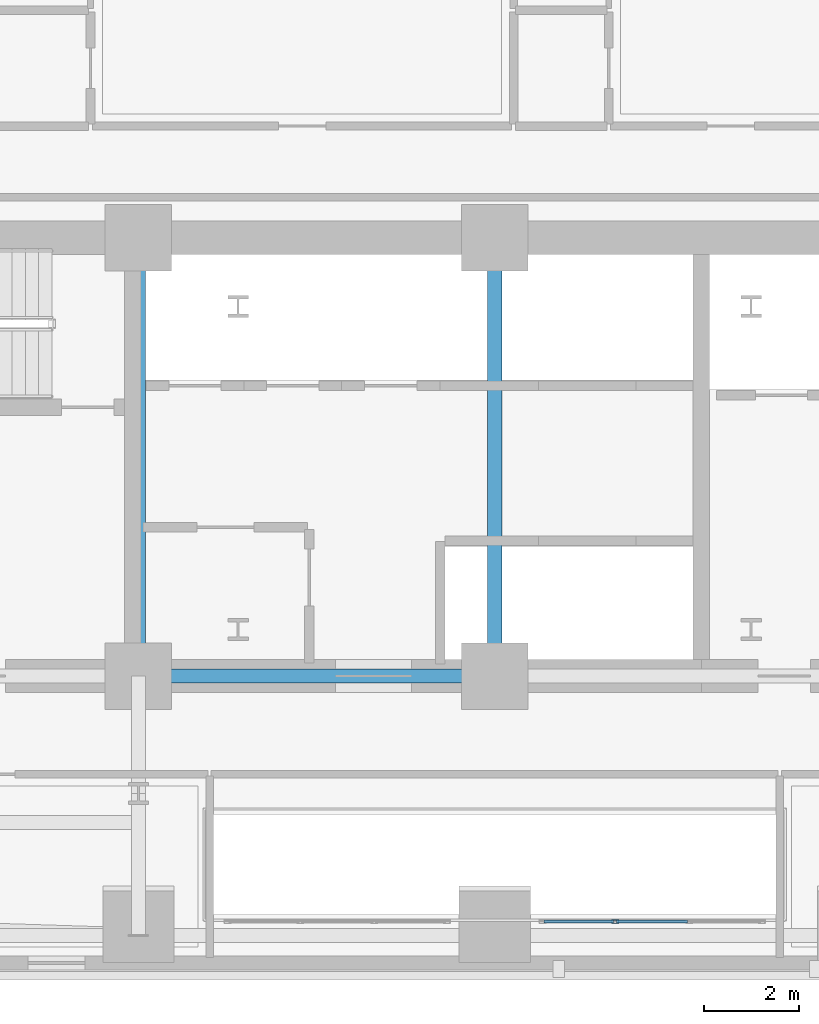
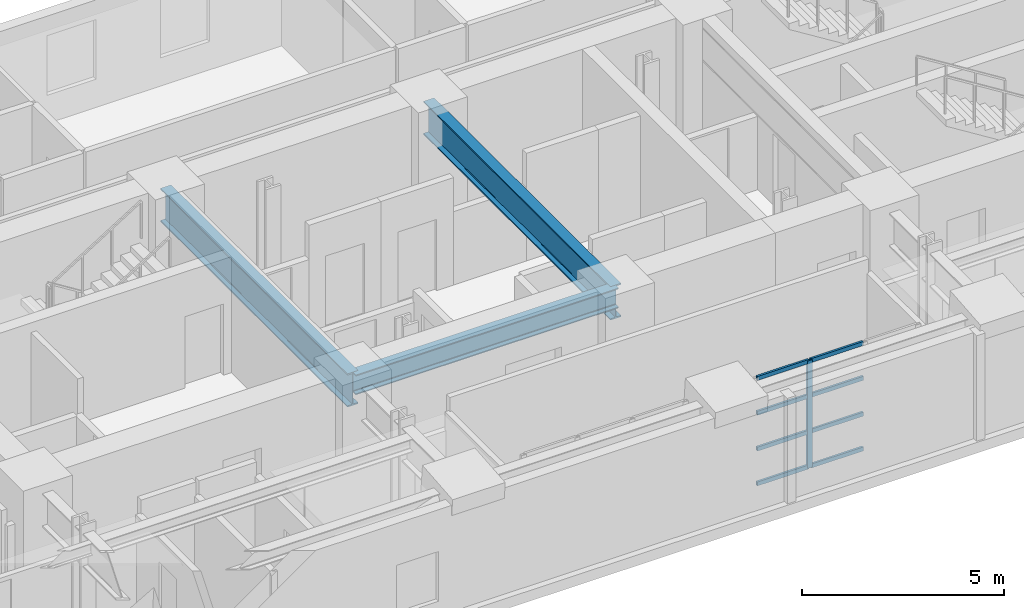
# One storey, part 3 of 16: 9 members, 3 beams, 1 element without a shape of its own.
"""IFC4 building model written with IfcOpenShell, lengths in metres."""

from ifc_helpers import new_model, si_unit, direction, frame, origin, origin_2d, place, context, subcontext, project, spatial, hollow_rectangle, i_section, extrude, material, layer, layer_set, material_profile, profile_set, type_object, element, aggregate, save


model = new_model("IFC4")

# Units and contexts
model_context = context("Model", 3, precision=1e-05, world=origin(), true_north=direction((0.0, 1.0)))
body_context = subcontext(model_context, "Body", "Model", "MODEL_VIEW")
ifc_project = project(units=[si_unit("LENGTHUNIT", "METRE"), si_unit("AREAUNIT", "SQUARE_METRE"), si_unit("VOLUMEUNIT", "CUBIC_METRE"), si_unit("PLANEANGLEUNIT", "RADIAN"), si_unit("MASSUNIT", "GRAM", prefix="KILO")], contexts=[model_context])

# Site, building, storey
site_placement = place(None, origin())
site = spatial("IfcSite", under=ifc_project, at=site_placement, CompositionType="ELEMENT")
building_placement = place(site_placement, origin())
building = spatial("IfcBuilding", under=site, at=building_placement, Name="Zarnavel Station Tower", CompositionType="ELEMENT")
storey_placement = place(building_placement, frame((0.0, 0.0, 39.5)))
storey = spatial("IfcBuildingStorey", under=building, at=storey_placement, Name="L10", CompositionType="ELEMENT", Elevation=39.5)

# Curtain wall, members
ifc_material_1 = material(Name="Aluminium Dark Anodised and Solar-Control Glass", Category="aluminium")
ifc_layer = layer(ifc_material_1, 0.179931640625)
ifc_layer_set = layer_set([ifc_layer], Name="CWS2")
curtain_wall_type = type_object("IfcCurtainWallType", Name="CWS2", PredefinedType="NOTDEFINED", material=ifc_layer_set)
curtain_wall_placement = place(storey_placement, origin())
curtain_wall = element("IfcCurtainWall", 1, at=curtain_wall_placement, inside=storey, type_object=curtain_wall_type, Name="L10 Curtain Wall CWS2-L10-AS-S2", PredefinedType="NOTDEFINED")
ifc_material_2 = material(Name="Steel S355J2 (Black Fluoropolymer Coated)", Category="steel")
ifc_material_profile_1 = material_profile(ifc_material_2, hollow_rectangle(XDim=0.074951171875, YDim=0.14990234375, WallThickness=0.00634765625, at=origin_2d()), Name="RHS150x75x6.3")
ifc_profile_set_1 = profile_set([ifc_material_profile_1], Name="Steel S355J2 (Black Fluoropolymer Coated)")
member_type_1 = type_object("IfcMemberType", Name="CWS2_MUL", PredefinedType="MULLION", material=ifc_profile_set_1)
member_1_placement = place(storey_placement, frame((31.336669921875, 22.64990234375, 0.0), z_axis=(0.0, 0.0, 1.0), x_axis=(0.0, 1.0, 0.0)))
member_1 = element("IfcMember", 2, at=member_1_placement, type_object=member_type_1, Name="CW2 mullion 2", PredefinedType="MULLION", context=body_context, shape_type="SweptSolid", body=[
    extrude(hollow_rectangle(XDim=0.074951171875, YDim=0.14990234375, WallThickness=0.00634765625, at=origin_2d()), origin(), (0.0, 0.0, 1.0), 3.239990234375),
])
ifc_material_3 = material(Name="Steel S355J2 (Black Fluoropolymer Coated)", Category="steel")
ifc_material_profile_2 = material_profile(ifc_material_3, hollow_rectangle(XDim=0.06005859375, YDim=0.1201171875, WallThickness=0.0048828125, at=origin_2d()), Name="RHS120x60x5")
ifc_profile_set_2 = profile_set([ifc_material_profile_2], Name="Steel S355J2 (Black Fluoropolymer Coated)")
member_type_2 = type_object("IfcMemberType", Name="CWS2_TRN", PredefinedType="USERDEFINED", material=ifc_profile_set_2)
member_2_placement = place(storey_placement, frame((29.840087890625, 22.64990234375, 0.030029296875), z_axis=(1.0, 0.0, 0.0), x_axis=(0.0, 1.0, 0.0)))
member_2 = element("IfcMember", 3, at=member_2_placement, type_object=member_type_2, Name="CW2 transom 1.1", ObjectType="TRANSOM", PredefinedType="USERDEFINED", context=body_context, shape_type="SweptSolid", body=[
    extrude(hollow_rectangle(XDim=0.06005859375, YDim=0.1201171875, WallThickness=0.0048828125, at=origin_2d()), origin(), (0.0, 0.0, 1.0), 1.466552734375),
])
member_3_placement = place(storey_placement, frame((29.840087890625, 22.64990234375, 1.080078125), z_axis=(1.0, 0.0, 0.0), x_axis=(0.0, 1.0, 0.0)))
member_3 = element("IfcMember", 4, at=member_3_placement, type_object=member_type_2, Name="CW2 transom 1.2", ObjectType="TRANSOM", PredefinedType="USERDEFINED", context=body_context, shape_type="SweptSolid", body=[
    extrude(hollow_rectangle(XDim=0.06005859375, YDim=0.1201171875, WallThickness=0.0048828125, at=origin_2d()), origin(), (0.0, 0.0, 1.0), 1.466552734375),
])
member_4_placement = place(storey_placement, frame((29.840087890625, 22.64990234375, 2.159912109375), z_axis=(1.0, 0.0, 0.0), x_axis=(0.0, 1.0, 0.0)))
member_4 = element("IfcMember", 5, at=member_4_placement, type_object=member_type_2, Name="CW2 transom 1.3", ObjectType="TRANSOM", PredefinedType="USERDEFINED", context=body_context, shape_type="SweptSolid", body=[
    extrude(hollow_rectangle(XDim=0.06005859375, YDim=0.1201171875, WallThickness=0.0048828125, at=origin_2d()), origin(), (0.0, 0.0, 1.0), 1.466552734375),
])
member_5_placement = place(storey_placement, frame((29.840087890625, 22.64990234375, 3.2099609375), z_axis=(1.0, 0.0, 0.0), x_axis=(0.0, 1.0, 0.0)))
member_5 = element("IfcMember", 6, at=member_5_placement, type_object=member_type_2, Name="CW2 transom 1.4", ObjectType="TRANSOM", PredefinedType="USERDEFINED", context=body_context, shape_type="SweptSolid", body=[
    extrude(hollow_rectangle(XDim=0.06005859375, YDim=0.1201171875, WallThickness=0.0048828125, at=origin_2d()), origin(), (0.0, 0.0, 1.0), 1.466552734375),
])
member_6_placement = place(storey_placement, frame((31.36669921875, 22.64990234375, 0.030029296875), z_axis=(1.0, 0.0, 0.0), x_axis=(0.0, 1.0, 0.0)))
member_6 = element("IfcMember", 7, at=member_6_placement, type_object=member_type_2, Name="CW2 transom 2.1", ObjectType="TRANSOM", PredefinedType="USERDEFINED", context=body_context, shape_type="SweptSolid", body=[
    extrude(hollow_rectangle(XDim=0.06005859375, YDim=0.1201171875, WallThickness=0.0048828125, at=origin_2d()), origin(), (0.0, 0.0, 1.0), 1.49658203125),
])
member_7_placement = place(storey_placement, frame((31.36669921875, 22.64990234375, 1.080078125), z_axis=(1.0, 0.0, 0.0), x_axis=(0.0, 1.0, 0.0)))
member_7 = element("IfcMember", 8, at=member_7_placement, type_object=member_type_2, Name="CW2 transom 2.2", ObjectType="TRANSOM", PredefinedType="USERDEFINED", context=body_context, shape_type="SweptSolid", body=[
    extrude(hollow_rectangle(XDim=0.06005859375, YDim=0.1201171875, WallThickness=0.0048828125, at=origin_2d()), origin(), (0.0, 0.0, 1.0), 1.49658203125),
])
member_8_placement = place(storey_placement, frame((31.36669921875, 22.64990234375, 2.159912109375), z_axis=(1.0, 0.0, 0.0), x_axis=(0.0, 1.0, 0.0)))
member_8 = element("IfcMember", 9, at=member_8_placement, type_object=member_type_2, Name="CW2 transom 2.3", ObjectType="TRANSOM", PredefinedType="USERDEFINED", context=body_context, shape_type="SweptSolid", body=[
    extrude(hollow_rectangle(XDim=0.06005859375, YDim=0.1201171875, WallThickness=0.0048828125, at=origin_2d()), origin(), (0.0, 0.0, 1.0), 1.49658203125),
])
member_9_placement = place(storey_placement, frame((31.36669921875, 22.64990234375, 3.2099609375), z_axis=(1.0, 0.0, 0.0), x_axis=(0.0, 1.0, 0.0)))
member_9 = element("IfcMember", 10, at=member_9_placement, type_object=member_type_2, Name="CW2 transom 2.4", ObjectType="TRANSOM", PredefinedType="USERDEFINED", context=body_context, shape_type="SweptSolid", body=[
    extrude(hollow_rectangle(XDim=0.06005859375, YDim=0.1201171875, WallThickness=0.0048828125, at=origin_2d()), origin(), (0.0, 0.0, 1.0), 1.49658203125),
])
aggregate(curtain_wall, [member_1, member_2, member_3, member_4, member_5, member_6, member_7, member_8, member_9])

# Beams
ifc_material_4 = material(Name="Steel S355J2", Category="steel")
ifc_material_profile_3 = material_profile(ifc_material_4, i_section(OverallWidth=0.300048828125, OverallDepth=0.60009765625, WebThickness=0.015380859375, FlangeThickness=0.030029296875, FilletRadius=0.027099609375, at=origin_2d()), Name="HEB600")
ifc_profile_set_3 = profile_set([ifc_material_profile_3], Name="Steel S355J2")
beam_type_1 = type_object("IfcBeamType", Name="FG_HEB600", PredefinedType="USERDEFINED", material=ifc_profile_set_3)
beam_placement = place(storey_placement, frame((21.300048828125, 27.820068359375, 2.93994140625), z_axis=(1.0, 0.0, 0.0), x_axis=(0.0, 1.0, 0.0)))
element("IfcBeam", 11, at=beam_placement, inside=storey, type_object=beam_type_1, Name="L10 Core Front Coupling Beam 2", ObjectType="GIRDER", PredefinedType="USERDEFINED", context=body_context, shape_type="SweptSolid", body=[
    extrude(i_section(OverallWidth=0.300048828125, OverallDepth=0.60009765625, WebThickness=0.015380859375, FlangeThickness=0.030029296875, FilletRadius=0.027099609375, at=origin_2d()), origin(), (0.0, 0.0, 1.0), 7.5),
])
ifc_material_5 = material(Name="Steel S460M", Category="steel")
ifc_material_profile_4 = material_profile(ifc_material_5, i_section(OverallWidth=0.302001953125, OverallDepth=1.008056640625, WebThickness=0.02099609375, FlangeThickness=0.0400390625, FilletRadius=0.030029296875, at=origin_2d()), Name="HEM1000")
ifc_profile_set_4 = profile_set([ifc_material_profile_4], Name="Steel S460M")
beam_type_2 = type_object("IfcBeamType", Name="TG_HEM1000", PredefinedType="USERDEFINED", material=ifc_profile_set_4)
for number, where, z_axis, x_axis, name in (
    (12, (21.300048828125, 27.820068359375, 2.736083984375), (0.0, 1.0, 0.0), (-1.0, 0.0, 0.0), "L10 Core Spine Coupling Girder 2"),
    (13, (28.800048828125, 27.820068359375, 2.736083984375), (0.0, 1.0, 0.0), (-1.0, 0.0, 0.0), "L10 Core Spine Coupling Girder 3"),
):
    element("IfcBeam", number, at=place(storey_placement, frame(where, z_axis=z_axis, x_axis=x_axis)), inside=storey, type_object=beam_type_2, Name=name, ObjectType="GIRDER", PredefinedType="USERDEFINED", context=body_context, shape_type="SweptSolid", body=[
        extrude(i_section(OverallWidth=0.302001953125, OverallDepth=1.008056640625, WebThickness=0.02099609375, FlangeThickness=0.0400390625, FilletRadius=0.030029296875, at=origin_2d()), origin(), (0.0, 0.0, 1.0), 9.22998046875),
    ])

save(model, "model.ifc")
